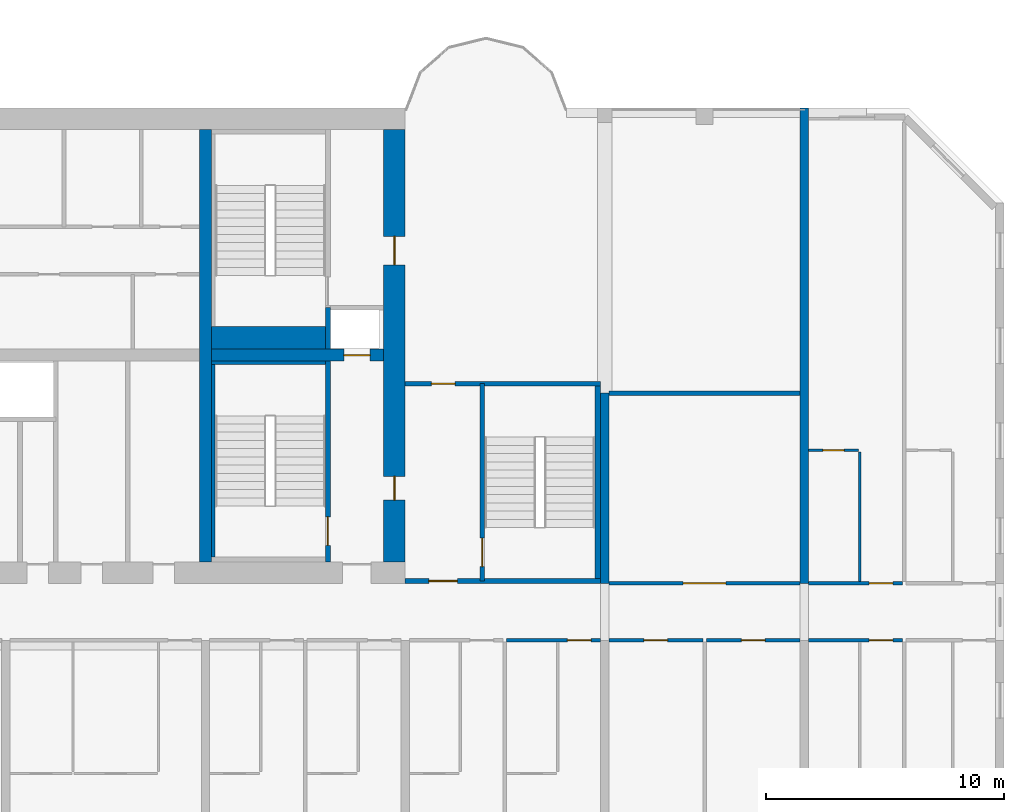
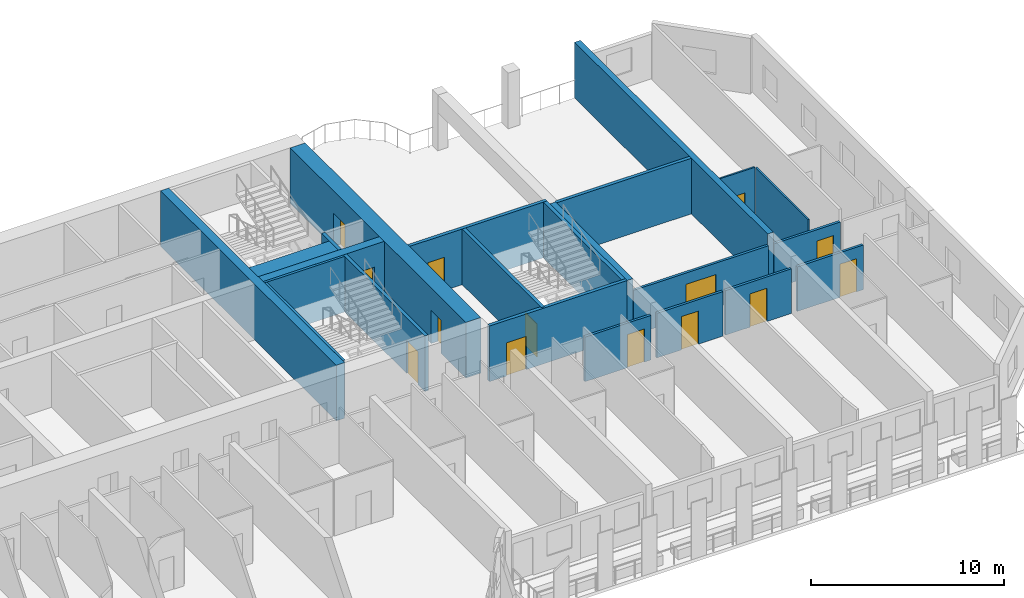
# One storey, part 10 of 15: 23 walls, 14 doors, 14 openings.
"""IFC4 building model written with IfcOpenShell, lengths in metres."""

from ifc_helpers import new_model, si_unit, direction, frame, frame_2d, origin, place, context, subcontext, project, spatial, rectangle, extrude, source, transform, mapped, material, layer, layer_set, type_object, element, fill, save


model = new_model("IFC4")

# Units and contexts
model_context = context("Model", 3, precision=1e-05, world=origin(), true_north=direction((0.0, 1.0)))
body_context = subcontext(model_context, "Body", "Model", "MODEL_VIEW")
ifc_project = project(units=[si_unit("LENGTHUNIT", "METRE"), si_unit("AREAUNIT", "SQUARE_METRE"), si_unit("VOLUMEUNIT", "CUBIC_METRE"), si_unit("PLANEANGLEUNIT", "RADIAN"), si_unit("MASSUNIT", "GRAM", prefix="KILO")], contexts=[model_context])

# Site, building, storey
site_placement = place(None, origin())
site = spatial("IfcSite", under=ifc_project, at=site_placement, CompositionType="ELEMENT")
building_placement = place(site_placement, origin())
building = spatial("IfcBuilding", under=site, at=building_placement, Name="Vanashikhar Sky Hotel", CompositionType="ELEMENT")
storey_placement = place(building_placement, frame((0.0, 0.0, 91.39990234375)))
storey = spatial("IfcBuildingStorey", under=building, at=storey_placement, Name="L21", CompositionType="ELEMENT", Elevation=91.39990234375)

# Wall, openings, doors
ifc_material_1 = material(Name="Concrete M70", Category="concrete")
ifc_layer_1 = layer(ifc_material_1, 0.89990234375)
ifc_layer_set_1 = layer_set([ifc_layer_1], Name="RC core shell wall 900 Concrete M70")
wall_type_1 = type_object("IfcWallType", Name="RC core shell wall 900 Concrete M70", PredefinedType="SHEAR", material=ifc_layer_set_1)
shared_shape_1 = source(origin(), body_context, "Body", "SweptSolid", [
    extrude(rectangle(XDim=18.2001953125, YDim=0.89990234375, at=frame_2d((9.10009765625, 0.0))), origin(), (0.0, 0.0, 1.0), 3.52001953125),
])
wall_1_placement = place(storey_placement, frame((75.14990234375, 22.89990234375, 0.0), z_axis=(0.0, 0.0, 1.0), x_axis=(0.0, 1.0, 0.0)))
wall_1 = element("IfcWall", 1, at=wall_1_placement, inside=storey, type_object=wall_type_1, Name="KW-L21-KE", PredefinedType="SHEAR", context=body_context, shape_type="MappedRepresentation", body=[
    mapped(shared_shape_1, transform((0.0, 0.0, 0.0), scale=1.0)),
])
shared_shape_2 = source(origin(), body_context, "Body", "SweptSolid", [
    extrude(rectangle(XDim=1.0, YDim=2.10009765625, at=frame_2d((0.5, 1.050048828125))), frame((0.0, 0.4599609375, 0.0), z_axis=(0.0, -1.0, 0.0), x_axis=(1.0, 0.0, 0.0)), (0.0, 0.0, 1.0), 0.919921875),
])
opening_1_placement = place(wall_1_placement, frame((2.60009765625, 0.0, 0.0)))
opening_1 = element("IfcOpeningElement", 2, at=opening_1_placement, cuts=wall_1, Name="Opening DC-5", PredefinedType="OPENING", context=body_context, shape_type="MappedRepresentation", body=[
    mapped(shared_shape_2, transform((0.0, 0.0, 0.0), scale=1.0)),
])
shared_shape_3 = source(origin(), body_context, "Body", "SweptSolid", [
    extrude(rectangle(XDim=1.199951171875, YDim=2.10009765625, at=frame_2d((0.60009765625, 1.050048828125))), frame((0.0, 0.4599609375, 0.0), z_axis=(0.0, -1.0, 0.0), x_axis=(1.0, 0.0, 0.0)), (0.0, 0.0, 1.0), 0.919921875),
])
opening_2_placement = place(wall_1_placement, frame((12.5, 0.0, 0.0)))
opening_2 = element("IfcOpeningElement", 3, at=opening_2_placement, cuts=wall_1, Name="Opening DC-4-D", PredefinedType="OPENING", context=body_context, shape_type="MappedRepresentation", body=[
    mapped(shared_shape_3, transform((0.0, 0.0, 0.0), scale=1.0)),
])
ifc_material_2 = material(Name="Steel", Category="steel")
door_type_1 = type_object("IfcDoorType", Name="Refuge door 1000 FD120", OperationType="NOTDEFINED", PredefinedType="DOOR", material=ifc_material_2)
shared_shape_4 = source(origin(), body_context, "Body", "SweptSolid", [
    extrude(rectangle(XDim=1.0, YDim=2.10009765625, at=frame_2d((0.5, 1.050048828125))), frame((0.0, 0.02490234375, 0.0), z_axis=(0.0, -1.0, 0.0), x_axis=(1.0, 0.0, 0.0)), (0.0, 0.0, 1.0), 0.050048828125),
])
door_1_placement = place(opening_1_placement, origin())
door_1 = element("IfcDoor", 4, at=door_1_placement, inside=storey, type_object=door_type_1, Name="Refuge door 1000 FD120", OperationType="SINGLE_SWING_LEFT", OverallHeight=2.10009765625, OverallWidth=1.0, PredefinedType="DOOR", context=body_context, shape_type="MappedRepresentation", body=[
    mapped(shared_shape_4, transform((0.0, 0.0, 0.0), scale=1.0)),
])
fill(opening_1, door_1)
door_type_2 = type_object("IfcDoorType", Name="Service door 1200 FD120", OperationType="NOTDEFINED", PredefinedType="DOOR", material=ifc_material_2)
shared_shape_5 = source(origin(), body_context, "Body", "SweptSolid", [
    extrude(rectangle(XDim=1.199951171875, YDim=2.10009765625, at=frame_2d((0.60009765625, 1.050048828125))), frame((0.0, 0.02490234375, 0.0), z_axis=(0.0, -1.0, 0.0), x_axis=(1.0, 0.0, 0.0)), (0.0, 0.0, 1.0), 0.050048828125),
])
door_2_placement = place(opening_2_placement, origin())
door_2 = element("IfcDoor", 5, at=door_2_placement, inside=storey, type_object=door_type_2, Name="Service door 1200 FD120", OperationType="SINGLE_SWING_LEFT", OverallHeight=2.10009765625, OverallWidth=1.199951171875, PredefinedType="DOOR", context=body_context, shape_type="MappedRepresentation", body=[
    mapped(shared_shape_5, transform((0.0, 0.0, 0.0), scale=1.0)),
])
fill(opening_2, door_2)

# Wall
ifc_layer_2 = layer(ifc_material_1, 0.5)
ifc_layer_set_2 = layer_set([ifc_layer_2], Name="RC core inner wall 500 Concrete M70")
wall_type_2 = type_object("IfcWallType", Name="RC core inner wall 500 Concrete M70", PredefinedType="SHEAR", material=ifc_layer_set_2)
shared_shape_6 = source(origin(), body_context, "Body", "SweptSolid", [
    extrude(rectangle(XDim=18.2001953125, YDim=0.5, at=frame_2d((9.10009765625, 0.0))), origin(), (0.0, 0.0, 1.0), 3.52001953125),
])
wall_2_placement = place(storey_placement, frame((67.199951171875, 22.89990234375, 0.0), z_axis=(0.0, 0.0, 1.0), x_axis=(0.0, 1.0, 0.0)))
element("IfcWall", 6, at=wall_2_placement, inside=storey, type_object=wall_type_2, Name="KW-L21-KX3", PredefinedType="SHEAR", context=body_context, shape_type="MappedRepresentation", body=[
    mapped(shared_shape_6, transform((0.0, 0.0, 0.0), scale=1.0)),
])

# Wall, opening, door
shared_shape_7 = source(origin(), body_context, "Body", "SweptSolid", [
    extrude(rectangle(XDim=7.25, YDim=0.5, at=frame_2d((3.625, 0.0))), origin(), (0.0, 0.0, 1.0), 3.52001953125),
])
wall_3_placement = place(storey_placement, frame((67.449951171875, 31.60009765625, 0.0), z_axis=(0.0, 0.0, 1.0), x_axis=(1.0, 0.0, 0.0)))
wall_3 = element("IfcWall", 7, at=wall_3_placement, inside=storey, type_object=wall_type_2, Name="KW-L21-KY4", PredefinedType="SHEAR", context=body_context, shape_type="MappedRepresentation", body=[
    mapped(shared_shape_7, transform((0.0, 0.0, 0.0), scale=1.0)),
])
shared_shape_8 = source(origin(), body_context, "Body", "SweptSolid", [
    extrude(rectangle(XDim=1.10009765625, YDim=2.10009765625, at=frame_2d((0.550048828125, 1.050048828125))), frame((0.0, 0.260009765625, 0.0), z_axis=(0.0, -1.0, 0.0), x_axis=(1.0, 0.0, 0.0)), (0.0, 0.0, 1.0), 0.52001953125),
])
opening_3_placement = place(wall_3_placement, frame((5.574951171875, 0.0, 0.0)))
opening_3 = element("IfcOpeningElement", 8, at=opening_3_placement, cuts=wall_3, Name="Opening LD", PredefinedType="OPENING", context=body_context, shape_type="MappedRepresentation", body=[
    mapped(shared_shape_8, transform((0.0, 0.0, 0.0), scale=1.0)),
])
ifc_material_3 = material(Name="Stainless steel", Category="steel")
door_type_3 = type_object("IfcDoorType", Name="Lift landing door 1100", OperationType="NOTDEFINED", PredefinedType="DOOR", material=ifc_material_3)
shared_shape_9 = source(origin(), body_context, "Body", "SweptSolid", [
    extrude(rectangle(XDim=1.10009765625, YDim=2.10009765625, at=frame_2d((0.550048828125, 1.050048828125))), frame((0.0, 0.02490234375, 0.0), z_axis=(0.0, -1.0, 0.0), x_axis=(1.0, 0.0, 0.0)), (0.0, 0.0, 1.0), 0.050048828125),
])
door_3_placement = place(opening_3_placement, origin())
door_3 = element("IfcDoor", 9, at=door_3_placement, inside=storey, type_object=door_type_3, Name="Lift landing door 1100", OperationType="SLIDING_TO_RIGHT", OverallHeight=2.10009765625, OverallWidth=1.10009765625, PredefinedType="DOOR", context=body_context, shape_type="MappedRepresentation", body=[
    mapped(shared_shape_9, transform((0.0, 0.0, 0.0), scale=1.0)),
])
fill(opening_3, door_3)

# Walls
ifc_layer_3 = layer(ifc_material_1, 0.35009765625)
ifc_layer_set_3 = layer_set([ifc_layer_3], Name="RC shear wall 350 Concrete M70")
wall_type_3 = type_object("IfcWallType", Name="RC shear wall 350 Concrete M70", PredefinedType="SHEAR", material=ifc_layer_set_3)
shared_shape_10 = source(origin(), body_context, "Body", "SweptSolid", [
    extrude(rectangle(XDim=20.0, YDim=0.35009765625, at=frame_2d((10.0, 0.0))), origin(), (0.0, 0.0, 1.0), 3.52001953125),
])
wall_4_placement = place(storey_placement, frame((92.39990234375, 22.0, 0.0), z_axis=(0.0, 0.0, 1.0), x_axis=(0.0, 1.0, 0.0)))
element("IfcWall", 10, at=wall_4_placement, inside=storey, type_object=wall_type_3, Name="CW-L21-XW12-2", PredefinedType="SHEAR", context=body_context, shape_type="MappedRepresentation", body=[
    mapped(shared_shape_10, transform((0.0, 0.0, 0.0), scale=1.0)),
])
shared_shape_11 = source(origin(), body_context, "Body", "SweptSolid", [
    extrude(rectangle(XDim=8.0, YDim=0.35009765625, at=frame_2d((4.0, 0.0))), origin(), (0.0, 0.0, 1.0), 3.52001953125),
])
wall_5_placement = place(storey_placement, frame((84.0, 22.0, 0.0), z_axis=(0.0, 0.0, 1.0), x_axis=(0.0, 1.0, 0.0)))
element("IfcWall", 11, at=wall_5_placement, inside=storey, type_object=wall_type_3, Name="CW-L21-XW11-2", PredefinedType="SHEAR", context=body_context, shape_type="MappedRepresentation", body=[
    mapped(shared_shape_11, transform((0.0, 0.0, 0.0), scale=1.0)),
])

# Wall, opening, door
ifc_material_4 = material(Name="Concrete M50", Category="concrete")
ifc_layer_4 = layer(ifc_material_4, 0.199951171875)
ifc_layer_set_4 = layer_set([ifc_layer_4], Name="Stair wall 200")
wall_type_4 = type_object("IfcWallType", Name="Stair wall 200", PredefinedType="SOLIDWALL", material=ifc_layer_set_4)
shared_shape_12 = source(origin(), body_context, "Body", "SweptSolid", [
    extrude(rectangle(XDim=8.2998046875, YDim=0.199951171875, at=frame_2d((4.14990234375, 0.0))), origin(), (0.0, 0.0, 1.0), 3.52001953125),
])
wall_6_placement = place(storey_placement, frame((78.85009765625, 22.10009765625, 0.0), z_axis=(0.0, 0.0, 1.0), x_axis=(0.0, 1.0, 0.0)))
wall_6 = element("IfcWall", 12, at=wall_6_placement, inside=storey, type_object=wall_type_4, Name="Stair wall 200", PredefinedType="SOLIDWALL", context=body_context, shape_type="MappedRepresentation", body=[
    mapped(shared_shape_12, transform((0.0, 0.0, 0.0), scale=1.0)),
])
shared_shape_13 = source(origin(), body_context, "Body", "SweptSolid", [
    extrude(rectangle(XDim=1.199951171875, YDim=2.10009765625, at=frame_2d((0.60009765625, 1.050048828125))), frame((0.0, 0.10986328125, 0.0), z_axis=(0.0, -1.0, 0.0), x_axis=(1.0, 0.0, 0.0)), (0.0, 0.0, 1.0), 0.219970703125),
])
opening_4_placement = place(wall_6_placement, frame((0.60009765625, 0.0, 0.0)))
opening_4 = element("IfcOpeningElement", 13, at=opening_4_placement, cuts=wall_6, Name="Opening DC-1", PredefinedType="OPENING", context=body_context, shape_type="MappedRepresentation", body=[
    mapped(shared_shape_13, transform((0.0, 0.0, 0.0), scale=1.0)),
])
door_type_4 = type_object("IfcDoorType", Name="Stair door 1200 FD120", OperationType="NOTDEFINED", PredefinedType="DOOR", material=ifc_material_2)
door_4_placement = place(opening_4_placement, origin())
door_4 = element("IfcDoor", 14, at=door_4_placement, inside=storey, type_object=door_type_4, Name="Stair door 1200 FD120", OperationType="SINGLE_SWING_RIGHT", OverallHeight=2.10009765625, OverallWidth=1.199951171875, PredefinedType="DOOR", context=body_context, shape_type="MappedRepresentation", body=[
    mapped(shared_shape_5, transform((0.0, 0.0, 0.0), scale=1.0)),
])
fill(opening_4, door_4)

shared_shape_14 = source(origin(), body_context, "Body", "SweptSolid", [
    extrude(rectangle(XDim=8.4501953125, YDim=0.199951171875, at=frame_2d((4.22509765625, 0.0))), origin(), (0.0, 0.0, 1.0), 3.52001953125),
])
wall_7_placement = place(storey_placement, frame((72.35009765625, 22.89990234375, 0.0), z_axis=(0.0, 0.0, 1.0), x_axis=(0.0, 1.0, 0.0)))
wall_7 = element("IfcWall", 15, at=wall_7_placement, inside=storey, type_object=wall_type_4, Name="Stair wall 200", PredefinedType="SOLIDWALL", context=body_context, shape_type="MappedRepresentation", body=[
    mapped(shared_shape_14, transform((0.0, 0.0, 0.0), scale=1.0)),
])
opening_5_placement = place(wall_7_placement, frame((0.699951171875, 0.0, 0.0)))
opening_5 = element("IfcOpeningElement", 16, at=opening_5_placement, cuts=wall_7, Name="Opening DC-1", PredefinedType="OPENING", context=body_context, shape_type="MappedRepresentation", body=[
    mapped(shared_shape_13, transform((0.0, 0.0, 0.0), scale=1.0)),
])
door_5_placement = place(opening_5_placement, origin())
door_5 = element("IfcDoor", 17, at=door_5_placement, inside=storey, type_object=door_type_4, Name="Stair door 1200 FD120", OperationType="SINGLE_SWING_RIGHT", OverallHeight=2.10009765625, OverallWidth=1.199951171875, PredefinedType="DOOR", context=body_context, shape_type="MappedRepresentation", body=[
    mapped(shared_shape_5, transform((0.0, 0.0, 0.0), scale=1.0)),
])
fill(opening_5, door_5)

# Wall
ifc_material_5 = material(Name="Concrete M40", Category="concrete")
ifc_layer_5 = layer(ifc_material_5, 0.199951171875)
ifc_layer_set_5 = layer_set([ifc_layer_5], Name="Shaft wall 200")
wall_type_5 = type_object("IfcWallType", Name="Shaft wall 200", PredefinedType="SOLIDWALL", material=ifc_layer_set_5)
shared_shape_15 = source(origin(), body_context, "Body", "SweptSolid", [
    extrude(rectangle(XDim=1.75, YDim=0.199951171875, at=frame_2d((0.875, 0.0))), origin(), (0.0, 0.0, 1.0), 3.52001953125),
])
wall_8_placement = place(storey_placement, frame((72.35009765625, 31.85009765625, 0.0), z_axis=(0.0, 0.0, 1.0), x_axis=(0.0, 1.0, 0.0)))
element("IfcWall", 18, at=wall_8_placement, inside=storey, type_object=wall_type_5, Name="Shaft wall 200", PredefinedType="SOLIDWALL", context=body_context, shape_type="MappedRepresentation", body=[
    mapped(shared_shape_15, transform((0.0, 0.0, 0.0), scale=1.0)),
])

# Wall, opening, door
shared_shape_16 = source(origin(), body_context, "Body", "SweptSolid", [
    extrude(rectangle(XDim=8.224853515625, YDim=0.199951171875, at=frame_2d((4.1123046875, 0.0))), origin(), (0.0, 0.0, 1.0), 3.52001953125),
])
wall_9_placement = place(storey_placement, frame((83.824951171875, 22.10009765625, 0.0), z_axis=(0.0, 0.0, 1.0), x_axis=(-1.0, 0.0, 0.0)))
wall_9 = element("IfcWall", 19, at=wall_9_placement, inside=storey, type_object=wall_type_4, Name="Stair wall 200", PredefinedType="SOLIDWALL", context=body_context, shape_type="MappedRepresentation", body=[
    mapped(shared_shape_16, transform((0.0, 0.0, 0.0), scale=1.0)),
])
opening_6_placement = place(wall_9_placement, frame((6.02490234375, 0.0, 0.0)))
opening_6 = element("IfcOpeningElement", 20, at=opening_6_placement, cuts=wall_9, Name="Opening DC-2", PredefinedType="OPENING", context=body_context, shape_type="MappedRepresentation", body=[
    mapped(shared_shape_13, transform((0.0, 0.0, 0.0), scale=1.0)),
])
door_type_5 = type_object("IfcDoorType", Name="Firefighting lobby door 1200 FD120", OperationType="NOTDEFINED", PredefinedType="DOOR", material=ifc_material_2)
door_6_placement = place(opening_6_placement, origin())
door_6 = element("IfcDoor", 21, at=door_6_placement, inside=storey, type_object=door_type_5, Name="Firefighting lobby door 1200 FD120", OperationType="SINGLE_SWING_LEFT", OverallHeight=2.10009765625, OverallWidth=1.199951171875, PredefinedType="DOOR", context=body_context, shape_type="MappedRepresentation", body=[
    mapped(shared_shape_5, transform((0.0, 0.0, 0.0), scale=1.0)),
])
fill(opening_6, door_6)

wall_10_placement = place(storey_placement, frame((83.824951171875, 30.39990234375, 0.0), z_axis=(0.0, 0.0, 1.0), x_axis=(-1.0, 0.0, 0.0)))
wall_10 = element("IfcWall", 22, at=wall_10_placement, inside=storey, type_object=wall_type_4, Name="Stair wall 200", PredefinedType="SOLIDWALL", context=body_context, shape_type="MappedRepresentation", body=[
    mapped(shared_shape_16, transform((0.0, 0.0, 0.0), scale=1.0)),
])
shared_shape_17 = source(origin(), body_context, "Body", "SweptSolid", [
    extrude(rectangle(XDim=1.0, YDim=2.10009765625, at=frame_2d((0.5, 1.050048828125))), frame((0.0, 0.10986328125, 0.0), z_axis=(0.0, -1.0, 0.0), x_axis=(1.0, 0.0, 0.0)), (0.0, 0.0, 1.0), 0.219970703125),
])
opening_7_placement = place(wall_10_placement, frame((6.125, 0.0, 0.0)))
opening_7 = element("IfcOpeningElement", 23, at=opening_7_placement, cuts=wall_10, Name="Opening DC-6", PredefinedType="OPENING", context=body_context, shape_type="MappedRepresentation", body=[
    mapped(shared_shape_17, transform((0.0, 0.0, 0.0), scale=1.0)),
])
door_type_6 = type_object("IfcDoorType", Name="Pocket door 1000 FD60", OperationType="NOTDEFINED", PredefinedType="DOOR", material=ifc_material_2)
door_7_placement = place(opening_7_placement, origin())
door_7 = element("IfcDoor", 24, at=door_7_placement, inside=storey, type_object=door_type_6, Name="Pocket door 1000 FD60", OperationType="SINGLE_SWING_LEFT", OverallHeight=2.10009765625, OverallWidth=1.0, PredefinedType="DOOR", context=body_context, shape_type="MappedRepresentation", body=[
    mapped(shared_shape_4, transform((0.0, 0.0, 0.0), scale=1.0)),
])
fill(opening_7, door_7)

# Walls
ifc_layer_6 = layer(ifc_material_4, 0.14990234375)
ifc_layer_set_6 = layer_set([ifc_layer_6], Name="Stair infill wall 150")
wall_type_6 = type_object("IfcWallType", Name="Stair infill wall 150", PredefinedType="SOLIDWALL", material=ifc_layer_set_6)
shared_shape_18 = source(origin(), body_context, "Body", "SweptSolid", [
    extrude(rectangle(XDim=4.800048828125, YDim=0.14990234375, at=frame_2d((2.39990234375, 0.0))), origin(), (0.0, 0.0, 1.0), 3.52001953125),
])
wall_11_placement = place(storey_placement, frame((67.449951171875, 31.27490234375, 0.0), z_axis=(0.0, 0.0, 1.0), x_axis=(1.0, 0.0, 0.0)))
element("IfcWall", 25, at=wall_11_placement, inside=storey, type_object=wall_type_6, Name="Stair infill wall 150", PredefinedType="SOLIDWALL", context=body_context, shape_type="MappedRepresentation", body=[
    mapped(shared_shape_18, transform((0.0, 0.0, 0.0), scale=1.0)),
])
shared_shape_19 = source(origin(), body_context, "Body", "SweptSolid", [
    extrude(rectangle(XDim=8.099853515625, YDim=0.14990234375, at=frame_2d((4.0498046875, 0.0))), origin(), (0.0, 0.0, 1.0), 3.52001953125),
])
wall_12_placement = place(storey_placement, frame((67.52490234375, 23.10009765625, 0.0), z_axis=(0.0, 0.0, 1.0), x_axis=(0.0, 1.0, 0.0)))
element("IfcWall", 26, at=wall_12_placement, inside=storey, type_object=wall_type_6, Name="Stair infill wall 150", PredefinedType="SOLIDWALL", context=body_context, shape_type="MappedRepresentation", body=[
    mapped(shared_shape_19, transform((0.0, 0.0, 0.0), scale=1.0)),
])
ifc_layer_7 = layer(ifc_material_4, 0.22509765625)
ifc_layer_set_7 = layer_set([ifc_layer_7], Name="Stair infill wall 225")
wall_type_7 = type_object("IfcWallType", Name="Stair infill wall 225", PredefinedType="SOLIDWALL", material=ifc_layer_set_7)
shared_shape_20 = source(origin(), body_context, "Body", "SweptSolid", [
    extrude(rectangle(XDim=8.10009765625, YDim=0.22509765625, at=frame_2d((4.050048828125, 0.0))), origin(), (0.0, 0.0, 1.0), 3.52001953125),
])
wall_13_placement = place(storey_placement, frame((83.712890625, 22.199951171875, 0.0), z_axis=(0.0, 0.0, 1.0), x_axis=(0.0, 1.0, 0.0)))
element("IfcWall", 27, at=wall_13_placement, inside=storey, type_object=wall_type_7, Name="Stair infill wall 225", PredefinedType="SOLIDWALL", context=body_context, shape_type="MappedRepresentation", body=[
    mapped(shared_shape_20, transform((0.0, 0.0, 0.0), scale=1.0)),
])
ifc_layer_8 = layer(ifc_material_4, 0.949951171875)
ifc_layer_set_8 = layer_set([ifc_layer_8], Name="Stair infill wall 950")
wall_type_8 = type_object("IfcWallType", Name="Stair infill wall 950", PredefinedType="SOLIDWALL", material=ifc_layer_set_8)
shared_shape_21 = source(origin(), body_context, "Body", "SweptSolid", [
    extrude(rectangle(XDim=4.800048828125, YDim=0.949951171875, at=frame_2d((2.39990234375, 0.0))), origin(), (0.0, 0.0, 1.0), 3.52001953125),
])
wall_14_placement = place(storey_placement, frame((67.449951171875, 32.324951171875, 0.0), z_axis=(0.0, 0.0, 1.0), x_axis=(1.0, 0.0, 0.0)))
element("IfcWall", 28, at=wall_14_placement, inside=storey, type_object=wall_type_8, Name="Stair infill wall 950", PredefinedType="SOLIDWALL", context=body_context, shape_type="MappedRepresentation", body=[
    mapped(shared_shape_21, transform((0.0, 0.0, 0.0), scale=1.0)),
])
ifc_material_6 = material(Name="Gypsum plasterboard partition")
ifc_layer_9 = layer(ifc_material_6, 0.10009765625)
ifc_layer_set_9 = layer_set([ifc_layer_9], Name="Wet room partition 100")
wall_type_9 = type_object("IfcWallType", Name="Wet room partition 100", PredefinedType="PARTITIONING", material=ifc_layer_set_9)
shared_shape_22 = source(origin(), body_context, "Body", "SweptSolid", [
    extrude(rectangle(XDim=5.449951171875, YDim=0.10009765625, at=frame_2d((2.72509765625, 0.0))), origin(), (0.0, 0.0, 1.0), 3.52001953125),
])
wall_15_placement = place(storey_placement, frame((94.72509765625, 22.074951171875, 0.0), z_axis=(0.0, 0.0, 1.0), x_axis=(0.0, 1.0, 0.0)))
element("IfcWall", 29, at=wall_15_placement, inside=storey, type_object=wall_type_9, Name="W-L21-PW089", PredefinedType="PARTITIONING", context=body_context, shape_type="MappedRepresentation", body=[
    mapped(shared_shape_22, transform((0.0, 0.0, 0.0), scale=1.0)),
])

# Wall, opening, door
shared_shape_23 = source(origin(), body_context, "Body", "SweptSolid", [
    extrude(rectangle(XDim=2.10009765625, YDim=0.10009765625, at=frame_2d((1.050048828125, 0.0))), origin(), (0.0, 0.0, 1.0), 3.52001953125),
])
wall_16_placement = place(storey_placement, frame((92.574951171875, 27.60009765625, 0.0), z_axis=(0.0, 0.0, 1.0), x_axis=(1.0, 0.0, 0.0)))
wall_16 = element("IfcWall", 30, at=wall_16_placement, inside=storey, type_object=wall_type_9, Name="W-L21-PW090", PredefinedType="PARTITIONING", context=body_context, shape_type="MappedRepresentation", body=[
    mapped(shared_shape_23, transform((0.0, 0.0, 0.0), scale=1.0)),
])
shared_shape_24 = source(origin(), body_context, "Body", "SweptSolid", [
    extrude(rectangle(XDim=0.89990234375, YDim=2.10009765625, at=frame_2d((0.449951171875, 1.050048828125))), frame((0.0, 0.06005859375, 0.0), z_axis=(0.0, -1.0, 0.0), x_axis=(1.0, 0.0, 0.0)), (0.0, 0.0, 1.0), 0.1201171875),
])
opening_8_placement = place(wall_16_placement, frame((0.60009765625, 0.0, 0.0)))
opening_8 = element("IfcOpeningElement", 31, at=opening_8_placement, cuts=wall_16, Name="Opening D-02", PredefinedType="OPENING", context=body_context, shape_type="MappedRepresentation", body=[
    mapped(shared_shape_24, transform((0.0, 0.0, 0.0), scale=1.0)),
])
ifc_material_7 = material(Name="Timber door", Category="wood")
door_type_7 = type_object("IfcDoorType", Name="Internal door 900", OperationType="NOTDEFINED", PredefinedType="DOOR", material=ifc_material_7)
shared_shape_25 = source(origin(), body_context, "Body", "SweptSolid", [
    extrude(rectangle(XDim=0.89990234375, YDim=2.10009765625, at=frame_2d((0.449951171875, 1.050048828125))), frame((0.0, 0.02490234375, 0.0), z_axis=(0.0, -1.0, 0.0), x_axis=(1.0, 0.0, 0.0)), (0.0, 0.0, 1.0), 0.050048828125),
])
door_8_placement = place(opening_8_placement, origin())
door_8 = element("IfcDoor", 32, at=door_8_placement, inside=storey, type_object=door_type_7, Name="D-L21-051", OperationType="SINGLE_SWING_RIGHT", OverallHeight=2.10009765625, OverallWidth=0.89990234375, PredefinedType="DOOR", context=body_context, shape_type="MappedRepresentation", body=[
    mapped(shared_shape_25, transform((0.0, 0.0, 0.0), scale=1.0)),
])
fill(opening_8, door_8)

ifc_layer_10 = layer(ifc_material_6, 0.14990234375)
ifc_layer_set_10 = layer_set([ifc_layer_10], Name="Corridor and demising partition 150")
wall_type_10 = type_object("IfcWallType", Name="Corridor and demising partition 150", PredefinedType="PARTITIONING", material=ifc_layer_set_10)
shared_shape_26 = source(origin(), body_context, "Body", "SweptSolid", [
    extrude(rectangle(XDim=3.9501953125, YDim=0.14990234375, at=frame_2d((1.97509765625, 0.0))), origin(), (0.0, 0.0, 1.0), 2.820068359375),
])
wall_17_placement = place(storey_placement, frame((88.27490234375, 19.60009765625, 0.0), z_axis=(0.0, 0.0, 1.0), x_axis=(1.0, 0.0, 0.0)))
wall_17 = element("IfcWall", 33, at=wall_17_placement, inside=storey, type_object=wall_type_10, Name="W-L21-PW062", PredefinedType="PARTITIONING", context=body_context, shape_type="MappedRepresentation", body=[
    mapped(shared_shape_26, transform((0.0, 0.0, 0.0), scale=1.0)),
])
shared_shape_27 = source(origin(), body_context, "Body", "SweptSolid", [
    extrude(rectangle(XDim=1.0, YDim=2.10009765625, at=frame_2d((0.5, 1.050048828125))), frame((0.0, 0.0849609375, 0.0), z_axis=(0.0, -1.0, 0.0), x_axis=(1.0, 0.0, 0.0)), (0.0, 0.0, 1.0), 0.169921875),
])
opening_9_placement = place(wall_17_placement, frame((1.47509765625, 0.0, 0.0)))
opening_9 = element("IfcOpeningElement", 34, at=opening_9_placement, cuts=wall_17, Name="Opening D-01", PredefinedType="OPENING", context=body_context, shape_type="MappedRepresentation", body=[
    mapped(shared_shape_27, transform((0.0, 0.0, 0.0), scale=1.0)),
])
ifc_material_8 = material(Name="Timber fire door", Category="wood")
door_type_8 = type_object("IfcDoorType", Name="Guest entry door 1000 FD30S", OperationType="NOTDEFINED", PredefinedType="DOOR", material=ifc_material_8)
door_9_placement = place(opening_9_placement, origin())
door_9 = element("IfcDoor", 35, at=door_9_placement, inside=storey, type_object=door_type_8, Name="D-L21-037", OperationType="SINGLE_SWING_RIGHT", OverallHeight=2.10009765625, OverallWidth=1.0, PredefinedType="DOOR", context=body_context, shape_type="MappedRepresentation", body=[
    mapped(shared_shape_4, transform((0.0, 0.0, 0.0), scale=1.0)),
])
fill(opening_9, door_9)

shared_shape_28 = source(origin(), body_context, "Body", "SweptSolid", [
    extrude(rectangle(XDim=8.050048828125, YDim=0.14990234375, at=frame_2d((4.02490234375, 0.0))), origin(), (0.0, 0.0, 1.0), 2.820068359375),
])
wall_18_placement = place(storey_placement, frame((84.175048828125, 22.0, 0.0), z_axis=(0.0, 0.0, 1.0), x_axis=(1.0, 0.0, 0.0)))
wall_18 = element("IfcWall", 36, at=wall_18_placement, inside=storey, type_object=wall_type_10, Name="W-L21-PW087", PredefinedType="PARTITIONING", context=body_context, shape_type="MappedRepresentation", body=[
    mapped(shared_shape_28, transform((0.0, 0.0, 0.0), scale=1.0)),
])
shared_shape_29 = source(origin(), body_context, "Body", "SweptSolid", [
    extrude(rectangle(XDim=1.800048828125, YDim=2.10009765625, at=frame_2d((0.89990234375, 1.050048828125))), frame((0.0, 0.0849609375, 0.0), z_axis=(0.0, -1.0, 0.0), x_axis=(1.0, 0.0, 0.0)), (0.0, 0.0, 1.0), 0.169921875),
])
opening_10_placement = place(wall_18_placement, frame((3.125, 0.0, 0.0)))
opening_10 = element("IfcOpeningElement", 37, at=opening_10_placement, cuts=wall_18, Name="Opening D-03", PredefinedType="OPENING", context=body_context, shape_type="MappedRepresentation", body=[
    mapped(shared_shape_29, transform((0.0, 0.0, 0.0), scale=1.0)),
])
door_type_9 = type_object("IfcDoorType", Name="Double leaf door 1800 FD30S", OperationType="NOTDEFINED", PredefinedType="DOOR", material=ifc_material_8)
shared_shape_30 = source(origin(), body_context, "Body", "SweptSolid", [
    extrude(rectangle(XDim=1.800048828125, YDim=2.10009765625, at=frame_2d((0.89990234375, 1.050048828125))), frame((0.0, 0.02490234375, 0.0), z_axis=(0.0, -1.0, 0.0), x_axis=(1.0, 0.0, 0.0)), (0.0, 0.0, 1.0), 0.050048828125),
])
door_10_placement = place(opening_10_placement, origin())
door_10 = element("IfcDoor", 38, at=door_10_placement, inside=storey, type_object=door_type_9, Name="D-L21-050", OperationType="DOUBLE_DOOR_SINGLE_SWING", OverallHeight=2.10009765625, OverallWidth=1.800048828125, PredefinedType="DOOR", context=body_context, shape_type="MappedRepresentation", body=[
    mapped(shared_shape_30, transform((0.0, 0.0, 0.0), scale=1.0)),
])
fill(opening_10, door_10)

shared_shape_31 = source(origin(), body_context, "Body", "SweptSolid", [
    extrude(rectangle(XDim=3.949951171875, YDim=0.14990234375, at=frame_2d((1.97509765625, 0.0))), origin(), (0.0, 0.0, 1.0), 2.820068359375),
])
wall_19_placement = place(storey_placement, frame((79.875, 19.60009765625, 0.0), z_axis=(0.0, 0.0, 1.0), x_axis=(1.0, 0.0, 0.0)))
wall_19 = element("IfcWall", 39, at=wall_19_placement, inside=storey, type_object=wall_type_10, Name="W-L21-PW059", PredefinedType="PARTITIONING", context=body_context, shape_type="MappedRepresentation", body=[
    mapped(shared_shape_31, transform((0.0, 0.0, 0.0), scale=1.0)),
])
opening_11_placement = place(wall_19_placement, frame((2.550048828125, 0.0, 0.0)))
opening_11 = element("IfcOpeningElement", 40, at=opening_11_placement, cuts=wall_19, Name="Opening D-01", PredefinedType="OPENING", context=body_context, shape_type="MappedRepresentation", body=[
    mapped(shared_shape_27, transform((0.0, 0.0, 0.0), scale=1.0)),
])
door_11_placement = place(opening_11_placement, origin())
door_11 = element("IfcDoor", 41, at=door_11_placement, inside=storey, type_object=door_type_8, Name="D-L21-035", OperationType="SINGLE_SWING_RIGHT", OverallHeight=2.10009765625, OverallWidth=1.0, PredefinedType="DOOR", context=body_context, shape_type="MappedRepresentation", body=[
    mapped(shared_shape_4, transform((0.0, 0.0, 0.0), scale=1.0)),
])
fill(opening_11, door_11)

wall_20_placement = place(storey_placement, frame((84.175048828125, 19.60009765625, 0.0), z_axis=(0.0, 0.0, 1.0), x_axis=(1.0, 0.0, 0.0)))
wall_20 = element("IfcWall", 42, at=wall_20_placement, inside=storey, type_object=wall_type_10, Name="W-L21-PW061", PredefinedType="PARTITIONING", context=body_context, shape_type="MappedRepresentation", body=[
    mapped(shared_shape_31, transform((0.0, 0.0, 0.0), scale=1.0)),
])
opening_12_placement = place(wall_20_placement, frame((1.47509765625, 0.0, 0.0)))
opening_12 = element("IfcOpeningElement", 43, at=opening_12_placement, cuts=wall_20, Name="Opening D-01", PredefinedType="OPENING", context=body_context, shape_type="MappedRepresentation", body=[
    mapped(shared_shape_27, transform((0.0, 0.0, 0.0), scale=1.0)),
])
door_12_placement = place(opening_12_placement, origin())
door_12 = element("IfcDoor", 44, at=door_12_placement, inside=storey, type_object=door_type_8, Name="D-L21-036", OperationType="SINGLE_SWING_LEFT", OverallHeight=2.10009765625, OverallWidth=1.0, PredefinedType="DOOR", context=body_context, shape_type="MappedRepresentation", body=[
    mapped(shared_shape_4, transform((0.0, 0.0, 0.0), scale=1.0)),
])
fill(opening_12, door_12)

wall_21_placement = place(storey_placement, frame((92.574951171875, 19.60009765625, 0.0), z_axis=(0.0, 0.0, 1.0), x_axis=(1.0, 0.0, 0.0)))
wall_21 = element("IfcWall", 45, at=wall_21_placement, inside=storey, type_object=wall_type_10, Name="W-L21-PW066", PredefinedType="PARTITIONING", context=body_context, shape_type="MappedRepresentation", body=[
    mapped(shared_shape_31, transform((0.0, 0.0, 0.0), scale=1.0)),
])
opening_13_placement = place(wall_21_placement, frame((2.550048828125, 0.0, 0.0)))
opening_13 = element("IfcOpeningElement", 46, at=opening_13_placement, cuts=wall_21, Name="Opening D-01", PredefinedType="OPENING", context=body_context, shape_type="MappedRepresentation", body=[
    mapped(shared_shape_27, transform((0.0, 0.0, 0.0), scale=1.0)),
])
door_13_placement = place(opening_13_placement, origin())
door_13 = element("IfcDoor", 47, at=door_13_placement, inside=storey, type_object=door_type_8, Name="D-L21-039", OperationType="SINGLE_SWING_RIGHT", OverallHeight=2.10009765625, OverallWidth=1.0, PredefinedType="DOOR", context=body_context, shape_type="MappedRepresentation", body=[
    mapped(shared_shape_4, transform((0.0, 0.0, 0.0), scale=1.0)),
])
fill(opening_13, door_13)

wall_22_placement = place(storey_placement, frame((92.574951171875, 22.0, 0.0), z_axis=(0.0, 0.0, 1.0), x_axis=(1.0, 0.0, 0.0)))
wall_22 = element("IfcWall", 48, at=wall_22_placement, inside=storey, type_object=wall_type_10, Name="W-L21-PW091", PredefinedType="PARTITIONING", context=body_context, shape_type="MappedRepresentation", body=[
    mapped(shared_shape_31, transform((0.0, 0.0, 0.0), scale=1.0)),
])
opening_14_placement = place(wall_22_placement, frame((2.550048828125, 0.0, 0.0)))
opening_14 = element("IfcOpeningElement", 49, at=opening_14_placement, cuts=wall_22, Name="Opening D-01", PredefinedType="OPENING", context=body_context, shape_type="MappedRepresentation", body=[
    mapped(shared_shape_27, transform((0.0, 0.0, 0.0), scale=1.0)),
])
door_14_placement = place(opening_14_placement, origin())
door_14 = element("IfcDoor", 50, at=door_14_placement, inside=storey, type_object=door_type_8, Name="D-L21-052", OperationType="SINGLE_SWING_RIGHT", OverallHeight=2.10009765625, OverallWidth=1.0, PredefinedType="DOOR", context=body_context, shape_type="MappedRepresentation", body=[
    mapped(shared_shape_4, transform((0.0, 0.0, 0.0), scale=1.0)),
])
fill(opening_14, door_14)

# Wall
ifc_material_9 = material(Name="Masonry partition", Category="masonry")
ifc_layer_11 = layer(ifc_material_9, 0.199951171875)
ifc_layer_set_11 = layer_set([ifc_layer_11], Name="Refuge enclosure wall 200")
wall_type_11 = type_object("IfcWallType", Name="Refuge enclosure wall 200", PredefinedType="PARTITIONING", material=ifc_layer_set_11)
shared_shape_32 = source(origin(), body_context, "Body", "SweptSolid", [
    extrude(rectangle(XDim=8.050048828125, YDim=0.199951171875, at=frame_2d((4.02490234375, 0.0))), origin(), (0.0, 0.0, 1.0), 3.52001953125),
])
wall_23_placement = place(storey_placement, frame((84.175048828125, 30.0, 0.0), z_axis=(0.0, 0.0, 1.0), x_axis=(1.0, 0.0, 0.0)))
element("IfcWall", 51, at=wall_23_placement, inside=storey, type_object=wall_type_11, Name="W-L21-PW088", PredefinedType="PARTITIONING", context=body_context, shape_type="MappedRepresentation", body=[
    mapped(shared_shape_32, transform((0.0, 0.0, 0.0), scale=1.0)),
])

save(model, "model.ifc")
